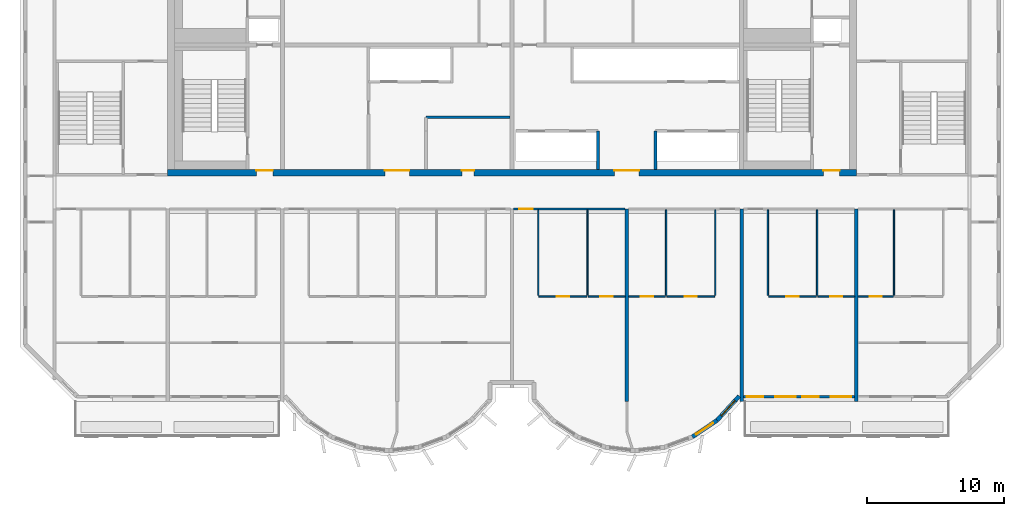
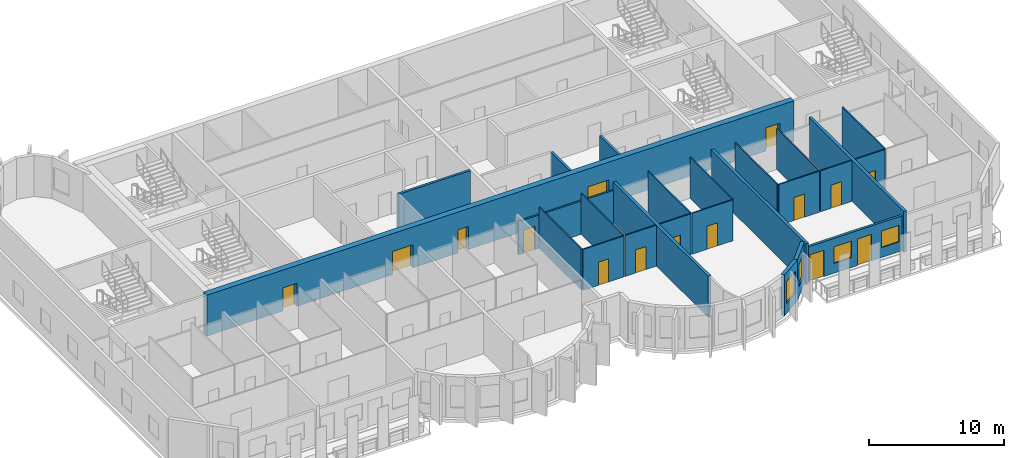
# One storey, part 5 of 12: 25 walls, 15 doors, 4 windows, 19 openings.
"""IFC4 building model written with IfcOpenShell, lengths in metres."""

from ifc_helpers import new_model, si_unit, direction, frame, frame_2d, origin, place, context, subcontext, project, spatial, rectangle, extrude, source, transform, mapped, material, layer, layer_set, type_object, element, fill, save


model = new_model("IFC4")

# Units and contexts
model_context = context("Model", 3, precision=1e-05, world=origin(), true_north=direction((0.0, 1.0)))
body_context = subcontext(model_context, "Body", "Model", "MODEL_VIEW")
ifc_project = project(units=[si_unit("LENGTHUNIT", "METRE"), si_unit("AREAUNIT", "SQUARE_METRE"), si_unit("VOLUMEUNIT", "CUBIC_METRE"), si_unit("PLANEANGLEUNIT", "RADIAN"), si_unit("MASSUNIT", "GRAM", prefix="KILO")], contexts=[model_context])

# Site, building, storey
site_placement = place(None, origin())
site = spatial("IfcSite", under=ifc_project, at=site_placement, CompositionType="ELEMENT")
building_placement = place(site_placement, origin())
building = spatial("IfcBuilding", under=site, at=building_placement, Name="Vanashikhar Sky Hotel", CompositionType="ELEMENT")
storey_placement = place(building_placement, frame((0.0, 0.0, 281.699951171875)))
storey = spatial("IfcBuildingStorey", under=building, at=storey_placement, Name="L67", CompositionType="ELEMENT", Elevation=281.699951171875)

# Wall, openings, doors
ifc_material_1 = material(Name="Concrete M50", Category="concrete")
ifc_layer_1 = layer(ifc_material_1, 0.5)
ifc_layer_set_1 = layer_set([ifc_layer_1], Name="RC core shell wall 500 Concrete M50")
wall_type_1 = type_object("IfcWallType", Name="RC core shell wall 500 Concrete M50", PredefinedType="SHEAR", material=ifc_layer_set_1)
shared_shape_1 = source(origin(), body_context, "Body", "SweptSolid", [
    extrude(rectangle(XDim=50.400146484375, YDim=0.5, at=frame_2d((25.2001953125, 0.0))), origin(), (0.0, 0.0, 1.0), 3.719970703125),
])
wall_1_placement = place(storey_placement, frame((25.199951171875, 22.25, 0.0), z_axis=(0.0, 0.0, 1.0), x_axis=(1.0, 0.0, 0.0)))
wall_1 = element("IfcWall", 1, at=wall_1_placement, inside=storey, type_object=wall_type_1, Name="KW-L67-KS", PredefinedType="SHEAR", context=body_context, shape_type="MappedRepresentation", body=[
    mapped(shared_shape_1, transform((0.0, 0.0, 0.0), scale=1.0)),
])
shared_shape_2 = source(origin(), body_context, "Body", "SweptSolid", [
    extrude(rectangle(XDim=1.800048828125, YDim=2.10009765625, at=frame_2d((0.89990234375, 1.050048828125))), frame((0.0, 0.260009765625, 0.0), z_axis=(0.0, -1.0, 0.0), x_axis=(1.0, 0.0, 0.0)), (0.0, 0.0, 1.0), 0.52001953125),
])
opening_1_placement = place(wall_1_placement, frame((15.89990234375, 0.0, 0.0)))
opening_1 = element("IfcOpeningElement", 2, at=opening_1_placement, cuts=wall_1, Name="Opening DC-3-A", PredefinedType="OPENING", context=body_context, shape_type="MappedRepresentation", body=[
    mapped(shared_shape_2, transform((0.0, 0.0, 0.0), scale=1.0)),
])
shared_shape_3 = source(origin(), body_context, "Body", "SweptSolid", [
    extrude(rectangle(XDim=0.89990234375, YDim=2.10009765625, at=frame_2d((0.449951171875, 1.050048828125))), frame((0.0, 0.260009765625, 0.0), z_axis=(0.0, -1.0, 0.0), x_axis=(1.0, 0.0, 0.0)), (0.0, 0.0, 1.0), 0.52001953125),
])
opening_2_placement = place(wall_1_placement, frame((21.52490234375, 0.0, 0.0)))
opening_2 = element("IfcOpeningElement", 3, at=opening_2_placement, cuts=wall_1, Name="Opening DC-4-A", PredefinedType="OPENING", context=body_context, shape_type="MappedRepresentation", body=[
    mapped(shared_shape_3, transform((0.0, 0.0, 0.0), scale=1.0)),
])
opening_3_placement = place(wall_1_placement, frame((32.699951171875, 0.0, 0.0)))
opening_3 = element("IfcOpeningElement", 4, at=opening_3_placement, cuts=wall_1, Name="Opening DC-3-A", PredefinedType="OPENING", context=body_context, shape_type="MappedRepresentation", body=[
    mapped(shared_shape_2, transform((0.0, 0.0, 0.0), scale=1.0)),
])
shared_shape_4 = source(origin(), body_context, "Body", "SweptSolid", [
    extrude(rectangle(XDim=1.199951171875, YDim=2.10009765625, at=frame_2d((0.60009765625, 1.050048828125))), frame((0.0, 0.260009765625, 0.0), z_axis=(0.0, -1.0, 0.0), x_axis=(1.0, 0.0, 0.0)), (0.0, 0.0, 1.0), 0.52001953125),
])
opening_4_placement = place(wall_1_placement, frame((6.5, 0.0, 0.0)))
opening_4 = element("IfcOpeningElement", 5, at=opening_4_placement, cuts=wall_1, Name="Opening DC-2", PredefinedType="OPENING", context=body_context, shape_type="MappedRepresentation", body=[
    mapped(shared_shape_4, transform((0.0, 0.0, 0.0), scale=1.0)),
])
opening_5_placement = place(wall_1_placement, frame((47.97509765625, 0.0, 0.0)))
opening_5 = element("IfcOpeningElement", 6, at=opening_5_placement, cuts=wall_1, Name="Opening DC-2", PredefinedType="OPENING", context=body_context, shape_type="MappedRepresentation", body=[
    mapped(shared_shape_4, transform((0.0, 0.0, 0.0), scale=1.0)),
])
ifc_material_2 = material(Name="Steel", Category="steel")
door_type_1 = type_object("IfcDoorType", Name="Firefighting lobby door 1200 FD120", OperationType="NOTDEFINED", PredefinedType="DOOR", material=ifc_material_2)
shared_shape_5 = source(origin(), body_context, "Body", "SweptSolid", [
    extrude(rectangle(XDim=1.199951171875, YDim=2.10009765625, at=frame_2d((0.60009765625, 1.050048828125))), frame((0.0, 0.1748046875, 0.0), z_axis=(0.0, -1.0, 0.0), x_axis=(1.0, 0.0, 0.0)), (0.0, 0.0, 1.0), 0.050048828125),
])
door_1_placement = place(opening_4_placement, origin())
door_1 = element("IfcDoor", 7, at=door_1_placement, inside=storey, type_object=door_type_1, Name="Firefighting lobby door 1200 FD120", OperationType="SINGLE_SWING_RIGHT", OverallHeight=2.10009765625, OverallWidth=1.199951171875, PredefinedType="DOOR", context=body_context, shape_type="MappedRepresentation", body=[
    mapped(shared_shape_5, transform((0.0, 0.0, 0.0), scale=1.0)),
])
fill(opening_4, door_1)
door_2_placement = place(opening_5_placement, origin())
door_2 = element("IfcDoor", 8, at=door_2_placement, inside=storey, type_object=door_type_1, Name="Firefighting lobby door 1200 FD120", OperationType="SINGLE_SWING_LEFT", OverallHeight=2.10009765625, OverallWidth=1.199951171875, PredefinedType="DOOR", context=body_context, shape_type="MappedRepresentation", body=[
    mapped(shared_shape_5, transform((0.0, 0.0, 0.0), scale=1.0)),
])
fill(opening_5, door_2)
door_type_2 = type_object("IfcDoorType", Name="Service door 900 FD60", OperationType="NOTDEFINED", PredefinedType="DOOR", material=ifc_material_2)
shared_shape_6 = source(origin(), body_context, "Body", "SweptSolid", [
    extrude(rectangle(XDim=0.89990234375, YDim=2.10009765625, at=frame_2d((0.449951171875, 1.050048828125))), frame((0.0, 0.1748046875, 0.0), z_axis=(0.0, -1.0, 0.0), x_axis=(1.0, 0.0, 0.0)), (0.0, 0.0, 1.0), 0.050048828125),
])
door_3_placement = place(opening_2_placement, origin())
door_3 = element("IfcDoor", 9, at=door_3_placement, inside=storey, type_object=door_type_2, Name="Service door 900 FD60", OperationType="SINGLE_SWING_RIGHT", OverallHeight=2.10009765625, OverallWidth=0.89990234375, PredefinedType="DOOR", context=body_context, shape_type="MappedRepresentation", body=[
    mapped(shared_shape_6, transform((0.0, 0.0, 0.0), scale=1.0)),
])
fill(opening_2, door_3)
ifc_material_3 = material(Name="Glass", Category="glass")
door_type_3 = type_object("IfcDoorType", Name="Lift lobby entrance door 1800 FD30S", OperationType="NOTDEFINED", PredefinedType="DOOR", material=ifc_material_3)
shared_shape_7 = source(origin(), body_context, "Body", "SweptSolid", [
    extrude(rectangle(XDim=1.800048828125, YDim=2.10009765625, at=frame_2d((0.89990234375, 1.050048828125))), frame((0.0, 0.1748046875, 0.0), z_axis=(0.0, -1.0, 0.0), x_axis=(1.0, 0.0, 0.0)), (0.0, 0.0, 1.0), 0.050048828125),
])
door_4_placement = place(opening_1_placement, origin())
door_4 = element("IfcDoor", 10, at=door_4_placement, inside=storey, type_object=door_type_3, Name="Lift lobby entrance door 1800 FD30S", OperationType="DOUBLE_DOOR_SINGLE_SWING", OverallHeight=2.10009765625, OverallWidth=1.800048828125, PredefinedType="DOOR", context=body_context, shape_type="MappedRepresentation", body=[
    mapped(shared_shape_7, transform((0.0, 0.0, 0.0), scale=1.0)),
])
fill(opening_1, door_4)
door_5_placement = place(opening_3_placement, origin())
door_5 = element("IfcDoor", 11, at=door_5_placement, inside=storey, type_object=door_type_3, Name="Lift lobby entrance door 1800 FD30S", OperationType="DOUBLE_DOOR_SINGLE_SWING", OverallHeight=2.10009765625, OverallWidth=1.800048828125, PredefinedType="DOOR", context=body_context, shape_type="MappedRepresentation", body=[
    mapped(shared_shape_7, transform((0.0, 0.0, 0.0), scale=1.0)),
])
fill(opening_3, door_5)

# Walls
ifc_layer_2 = layer(ifc_material_1, 0.25)
ifc_layer_set_2 = layer_set([ifc_layer_2], Name="RC shear wall 250 Concrete M50")
wall_type_2 = type_object("IfcWallType", Name="RC shear wall 250 Concrete M50", PredefinedType="SHEAR", material=ifc_layer_set_2)
shared_shape_8 = source(origin(), body_context, "Body", "SweptSolid", [
    extrude(rectangle(XDim=14.10009765625, YDim=0.25, at=frame_2d((7.050048828125, 0.0))), origin(), (0.0, 0.0, 1.0), 3.719970703125),
])
for number, where, z_axis, x_axis, name in (
    (12, (58.800048828125, 5.5, 0.0), (0.0, 0.0, 1.0), (0.0, 1.0, 0.0), "CW-L67-XW08-1"),
    (13, (67.199951171875, 5.5, 0.0), (0.0, 0.0, 1.0), (0.0, 1.0, 0.0), "CW-L67-XW09-1"),
    (14, (75.60009765625, 5.5, 0.0), (0.0, 0.0, 1.0), (0.0, 1.0, 0.0), "CW-L67-XW10-1"),
):
    element("IfcWall", number, at=place(storey_placement, frame(where, z_axis=z_axis, x_axis=x_axis)), inside=storey, type_object=wall_type_2, Name=name, PredefinedType="SHEAR", context=body_context, shape_type="MappedRepresentation", body=[
        mapped(shared_shape_8, transform((0.0, 0.0, 0.0), scale=1.0)),
    ])

# Wall, openings, windows, doors
ifc_layer_3 = layer(ifc_material_1, 0.199951171875)
ifc_layer_set_3 = layer_set([ifc_layer_3], Name="Front window wall 200")
wall_type_3 = type_object("IfcWallType", Name="Front window wall 200", PredefinedType="SOLIDWALL", material=ifc_layer_set_3)
shared_shape_9 = source(origin(), body_context, "Body", "SweptSolid", [
    extrude(rectangle(XDim=8.150146484375, YDim=0.199951171875, at=frame_2d((4.0751953125, 0.0))), origin(), (0.0, 0.0, 1.0), 3.170166015625),
])
wall_2_placement = place(storey_placement, frame((67.324951171875, 5.85009765625, 0.0), z_axis=(0.0, 0.0, 1.0), x_axis=(1.0, 0.0, 0.0)))
wall_2 = element("IfcWall", 15, at=wall_2_placement, inside=storey, type_object=wall_type_3, Name="Front window wall", PredefinedType="SOLIDWALL", context=body_context, shape_type="MappedRepresentation", body=[
    mapped(shared_shape_9, transform((0.0, 0.0, 0.0), scale=1.0)),
])
shared_shape_10 = source(origin(), body_context, "Body", "SweptSolid", [
    extrude(rectangle(XDim=1.199951171875, YDim=2.39990234375, at=frame_2d((0.60009765625, 1.199951171875))), frame((0.0, 0.10986328125, 0.0), z_axis=(0.0, -1.0, 0.0), x_axis=(1.0, 0.0, 0.0)), (0.0, 0.0, 1.0), 0.219970703125),
])
opening_6_placement = place(wall_2_placement, frame((0.25, 0.0, 0.0)))
opening_6 = element("IfcOpeningElement", 16, at=opening_6_placement, cuts=wall_2, Name="Opening BD-03", PredefinedType="OPENING", context=body_context, shape_type="MappedRepresentation", body=[
    mapped(shared_shape_10, transform((0.0, 0.0, 0.0), scale=1.0)),
])
shared_shape_11 = source(origin(), body_context, "Body", "SweptSolid", [
    extrude(rectangle(XDim=1.5, YDim=1.5, at=frame_2d((0.75, 0.75))), frame((0.0, 0.10986328125, 0.0), z_axis=(0.0, -1.0, 0.0), x_axis=(1.0, 0.0, 0.0)), (0.0, 0.0, 1.0), 0.219970703125),
])
opening_7_placement = place(wall_2_placement, frame((2.324951171875, 0.0, 0.89990234375)))
opening_7 = element("IfcOpeningElement", 17, at=opening_7_placement, cuts=wall_2, Name="Opening WN-1", PredefinedType="OPENING", context=body_context, shape_type="MappedRepresentation", body=[
    mapped(shared_shape_11, transform((0.0, 0.0, 0.0), scale=1.0)),
])
opening_8_placement = place(wall_2_placement, frame((4.324951171875, 0.0, 0.0)))
opening_8 = element("IfcOpeningElement", 18, at=opening_8_placement, cuts=wall_2, Name="Opening BD-04", PredefinedType="OPENING", context=body_context, shape_type="MappedRepresentation", body=[
    mapped(shared_shape_10, transform((0.0, 0.0, 0.0), scale=1.0)),
])
opening_9_placement = place(wall_2_placement, frame((6.39990234375, 0.0, 0.89990234375)))
opening_9 = element("IfcOpeningElement", 19, at=opening_9_placement, cuts=wall_2, Name="Opening WN-1", PredefinedType="OPENING", context=body_context, shape_type="MappedRepresentation", body=[
    mapped(shared_shape_11, transform((0.0, 0.0, 0.0), scale=1.0)),
])
window_type_1 = type_object("IfcWindowType", Name="Window 1500 x 1500", PartitioningType="SINGLE_PANEL", PredefinedType="WINDOW", material=ifc_material_3)
shared_shape_12 = source(origin(), body_context, "Body", "SweptSolid", [
    extrude(rectangle(XDim=1.5, YDim=1.5, at=frame_2d((0.75, 0.75))), frame((0.0, 0.030029296875, 0.0), z_axis=(0.0, -1.0, 0.0), x_axis=(1.0, 0.0, 0.0)), (0.0, 0.0, 1.0), 0.06005859375),
])
window_1_placement = place(opening_7_placement, origin())
window_1 = element("IfcWindow", 20, at=window_1_placement, inside=storey, type_object=window_type_1, Name="Window WN-1", OverallHeight=1.5, OverallWidth=1.5, PartitioningType="SINGLE_PANEL", PredefinedType="WINDOW", context=body_context, shape_type="MappedRepresentation", body=[
    mapped(shared_shape_12, transform((0.0, 0.0, 0.0), scale=1.0)),
])
fill(opening_7, window_1)
window_2_placement = place(opening_9_placement, origin())
window_2 = element("IfcWindow", 21, at=window_2_placement, inside=storey, type_object=window_type_1, Name="Window WN-1", OverallHeight=1.5, OverallWidth=1.5, PartitioningType="SINGLE_PANEL", PredefinedType="WINDOW", context=body_context, shape_type="MappedRepresentation", body=[
    mapped(shared_shape_12, transform((0.0, 0.0, 0.0), scale=1.0)),
])
fill(opening_9, window_2)
ifc_material_4 = material(Name="Aluminium", Category="aluminium")
door_type_4 = type_object("IfcDoorType", Name="Balcony sliding door 1200 x 2400", OperationType="NOTDEFINED", PredefinedType="DOOR", material=ifc_material_4)
shared_shape_13 = source(origin(), body_context, "Body", "SweptSolid", [
    extrude(rectangle(XDim=1.199951171875, YDim=2.39990234375, at=frame_2d((0.60009765625, 1.199951171875))), frame((0.0, 0.02490234375, 0.0), z_axis=(0.0, -1.0, 0.0), x_axis=(1.0, 0.0, 0.0)), (0.0, 0.0, 1.0), 0.050048828125),
])
door_6_placement = place(opening_6_placement, origin())
door_6 = element("IfcDoor", 22, at=door_6_placement, inside=storey, type_object=door_type_4, Name="Balcony sliding door", OperationType="SLIDING_TO_LEFT", OverallHeight=2.39990234375, OverallWidth=1.199951171875, PredefinedType="DOOR", context=body_context, shape_type="MappedRepresentation", body=[
    mapped(shared_shape_13, transform((0.0, 0.0, 0.0), scale=1.0)),
])
fill(opening_6, door_6)
door_7_placement = place(opening_8_placement, origin())
door_7 = element("IfcDoor", 23, at=door_7_placement, inside=storey, type_object=door_type_4, Name="Balcony sliding door", OperationType="SLIDING_TO_RIGHT", OverallHeight=2.39990234375, OverallWidth=1.199951171875, PredefinedType="DOOR", context=body_context, shape_type="MappedRepresentation", body=[
    mapped(shared_shape_13, transform((0.0, 0.0, 0.0), scale=1.0)),
])
fill(opening_8, door_7)

# Wall, opening, window
ifc_layer_4 = layer(ifc_material_1, 0.300048828125)
ifc_layer_set_4 = layer_set([ifc_layer_4], Name="Lobe wall 300")
wall_type_4 = type_object("IfcWallType", Name="Lobe wall 300", PredefinedType="SOLIDWALL", material=ifc_layer_set_4)
shared_shape_14 = source(origin(), body_context, "Body", "SweptSolid", [
    extrude(rectangle(XDim=2.398193359375, YDim=0.300048828125, at=frame_2d((1.19921875, 0.0))), origin(), (0.0, 0.0, 1.0), 3.719970703125),
])
wall_3_placement = place(storey_placement, frame((65.404296875, 4.13134765625, 0.0), z_axis=(0.0, 0.0, 1.0), x_axis=(0.675374189419, 0.737475222815, 0.0)))
wall_3 = element("IfcWall", 24, at=wall_3_placement, inside=storey, type_object=wall_type_4, Name="Lobe wall", PredefinedType="SOLIDWALL", context=body_context, shape_type="MappedRepresentation", body=[
    mapped(shared_shape_14, transform((0.0, 0.0, 0.0), scale=1.0)),
])
shared_shape_15 = source(origin(), body_context, "Body", "SweptSolid", [
    extrude(rectangle(XDim=1.5, YDim=2.0, at=frame_2d((0.75, 1.0))), frame((0.0, 0.16015625, 0.0), z_axis=(0.0, -1.0, 0.0), x_axis=(1.0, 0.0, 0.0)), (0.0, 0.0, 1.0), 0.320068359375),
])
opening_10_placement = place(wall_3_placement, frame((0.44921875, 0.0, 0.89990234375)))
opening_10 = element("IfcOpeningElement", 25, at=opening_10_placement, cuts=wall_3, Name="Opening WN-2", PredefinedType="OPENING", context=body_context, shape_type="MappedRepresentation", body=[
    mapped(shared_shape_15, transform((0.0, 0.0, 0.0), scale=1.0)),
])
window_type_2 = type_object("IfcWindowType", Name="Lobe window 1500 x 2000", PartitioningType="SINGLE_PANEL", PredefinedType="WINDOW", material=ifc_material_3)
shared_shape_16 = source(origin(), body_context, "Body", "SweptSolid", [
    extrude(rectangle(XDim=1.5, YDim=2.0, at=frame_2d((0.75, 1.0))), frame((0.0, 0.030029296875, 0.0), z_axis=(0.0, -1.0, 0.0), x_axis=(1.0, 0.0, 0.0)), (0.0, 0.0, 1.0), 0.06005859375),
])
window_3_placement = place(opening_10_placement, origin())
window_3 = element("IfcWindow", 26, at=window_3_placement, inside=storey, type_object=window_type_2, Name="Window WN-2", OverallHeight=2.0, OverallWidth=1.5, PartitioningType="SINGLE_PANEL", PredefinedType="WINDOW", context=body_context, shape_type="MappedRepresentation", body=[
    mapped(shared_shape_16, transform((0.0, 0.0, 0.0), scale=1.0)),
])
fill(opening_10, window_3)

shared_shape_17 = source(origin(), body_context, "Body", "SweptSolid", [
    extrude(rectangle(XDim=2.17578125, YDim=0.300048828125, at=frame_2d((1.087890625, 0.0))), origin(), (0.0, 0.0, 1.0), 3.719970703125),
])
wall_4_placement = place(storey_placement, frame((63.59912109375, 2.91650390625, 0.0), z_axis=(0.0, 0.0, 1.0), x_axis=(0.829625727223, 0.558319937607, 0.0)))
wall_4 = element("IfcWall", 27, at=wall_4_placement, inside=storey, type_object=wall_type_4, Name="Lobe wall", PredefinedType="SOLIDWALL", context=body_context, shape_type="MappedRepresentation", body=[
    mapped(shared_shape_17, transform((0.0, 0.0, 0.0), scale=1.0)),
])
opening_11_placement = place(wall_4_placement, frame((0.337890625, 0.0, 0.89990234375)))
opening_11 = element("IfcOpeningElement", 28, at=opening_11_placement, cuts=wall_4, Name="Opening WN-2", PredefinedType="OPENING", context=body_context, shape_type="MappedRepresentation", body=[
    mapped(shared_shape_15, transform((0.0, 0.0, 0.0), scale=1.0)),
])
window_4_placement = place(opening_11_placement, origin())
window_4 = element("IfcWindow", 29, at=window_4_placement, inside=storey, type_object=window_type_2, Name="Window WN-2", OverallHeight=2.0, OverallWidth=1.5, PartitioningType="SINGLE_PANEL", PredefinedType="WINDOW", context=body_context, shape_type="MappedRepresentation", body=[
    mapped(shared_shape_16, transform((0.0, 0.0, 0.0), scale=1.0)),
])
fill(opening_11, window_4)

# Walls
ifc_material_5 = material(Name="Concrete M40", Category="concrete")
ifc_layer_5 = layer(ifc_material_5, 0.199951171875)
ifc_layer_set_5 = layer_set([ifc_layer_5], Name="Shaft wall 200")
wall_type_5 = type_object("IfcWallType", Name="Shaft wall 200", PredefinedType="SOLIDWALL", material=ifc_layer_set_5)
shared_shape_18 = source(origin(), body_context, "Body", "SweptSolid", [
    extrude(rectangle(XDim=2.800048828125, YDim=0.199951171875, at=frame_2d((1.39990234375, 0.0))), origin(), (0.0, 0.0, 1.0), 3.719970703125),
])
for number, where, z_axis, x_axis, name in (
    (30, (60.89990234375, 22.5, 0.0), (0.0, 0.0, 1.0), (0.0, 1.0, 0.0), "Shaft wall 200"),
    (31, (56.699951171875, 22.5, 0.0), (0.0, 0.0, 1.0), (0.0, 1.0, 0.0), "Shaft wall 200"),
):
    element("IfcWall", number, at=place(storey_placement, frame(where, z_axis=z_axis, x_axis=x_axis)), inside=storey, type_object=wall_type_5, Name=name, PredefinedType="SOLIDWALL", context=body_context, shape_type="MappedRepresentation", body=[
        mapped(shared_shape_18, transform((0.0, 0.0, 0.0), scale=1.0)),
    ])
ifc_material_6 = material(Name="Gypsum board partition")
ifc_layer_6 = layer(ifc_material_6, 0.14990234375)
ifc_layer_set_6 = layer_set([ifc_layer_6], Name="Service partition 150")
wall_type_6 = type_object("IfcWallType", Name="Service partition 150", PredefinedType="PARTITIONING", material=ifc_layer_set_6)
shared_shape_19 = source(origin(), body_context, "Body", "SweptSolid", [
    extrude(rectangle(XDim=6.14990234375, YDim=0.199951171875, at=frame_2d((3.074951171875, 0.0))), origin(), (0.0, 0.0, 1.0), 3.719970703125),
])
wall_5_placement = place(storey_placement, frame((44.10009765625, 26.300048828125, 0.0), z_axis=(0.0, 0.0, 1.0), x_axis=(1.0, 0.0, 0.0)))
element("IfcWall", 32, at=wall_5_placement, inside=storey, type_object=wall_type_6, Name="Service partition 150", PredefinedType="PARTITIONING", context=body_context, shape_type="MappedRepresentation", body=[
    mapped(shared_shape_19, transform((0.0, 0.0, 0.0), scale=1.0)),
])
ifc_material_7 = material(Name="Gypsum plasterboard partition")
ifc_layer_7 = layer(ifc_material_7, 0.10009765625)
ifc_layer_set_7 = layer_set([ifc_layer_7], Name="Wet room partition 100")
wall_type_7 = type_object("IfcWallType", Name="Wet room partition 100", PredefinedType="PARTITIONING", material=ifc_layer_set_7)
shared_shape_20 = source(origin(), body_context, "Body", "SweptSolid", [
    extrude(rectangle(XDim=6.25, YDim=0.10009765625, at=frame_2d((3.125, 0.0))), origin(), (0.0, 0.0, 1.0), 3.719970703125),
])
for number, where, z_axis, x_axis, name in (
    (33, (52.324951171875, 13.27490234375, 0.0), (0.0, 0.0, 1.0), (0.0, 1.0, 0.0), "W-L67-PW025"),
    (34, (55.925048828125, 13.27490234375, 0.0), (0.0, 0.0, 1.0), (0.0, 1.0, 0.0), "W-L67-PW026"),
    (35, (65.27490234375, 13.27490234375, 0.0), (0.0, 0.0, 1.0), (0.0, 1.0, 0.0), "W-L67-PW030"),
    (36, (61.675048828125, 13.27490234375, 0.0), (0.0, 0.0, 1.0), (0.0, 1.0, 0.0), "W-L67-PW031"),
    (37, (69.125, 13.27490234375, 0.0), (0.0, 0.0, 1.0), (0.0, 1.0, 0.0), "W-L67-PW035"),
    (38, (72.72509765625, 13.27490234375, 0.0), (0.0, 0.0, 1.0), (0.0, 1.0, 0.0), "W-L67-PW036"),
    (39, (78.35009765625, 13.27490234375, 0.0), (0.0, 0.0, 1.0), (0.0, 1.0, 0.0), "W-L67-PW041"),
):
    element("IfcWall", number, at=place(storey_placement, frame(where, z_axis=z_axis, x_axis=x_axis)), inside=storey, type_object=wall_type_7, Name=name, PredefinedType="PARTITIONING", context=body_context, shape_type="MappedRepresentation", body=[
        mapped(shared_shape_20, transform((0.0, 0.0, 0.0), scale=1.0)),
    ])

# Wall, opening, door
shared_shape_21 = source(origin(), body_context, "Body", "SweptSolid", [
    extrude(rectangle(XDim=3.5, YDim=0.10009765625, at=frame_2d((1.75, 0.0))), origin(), (0.0, 0.0, 1.0), 3.719970703125),
])
wall_6_placement = place(storey_placement, frame((52.375, 13.199951171875, 0.0), z_axis=(0.0, 0.0, 1.0), x_axis=(1.0, 0.0, 0.0)))
wall_6 = element("IfcWall", 40, at=wall_6_placement, inside=storey, type_object=wall_type_7, Name="W-L67-PW027", PredefinedType="PARTITIONING", context=body_context, shape_type="MappedRepresentation", body=[
    mapped(shared_shape_21, transform((0.0, 0.0, 0.0), scale=1.0)),
])
shared_shape_22 = source(origin(), body_context, "Body", "SweptSolid", [
    extrude(rectangle(XDim=0.89990234375, YDim=2.10009765625, at=frame_2d((0.449951171875, 1.050048828125))), frame((0.0, 0.06005859375, 0.0), z_axis=(0.0, -1.0, 0.0), x_axis=(1.0, 0.0, 0.0)), (0.0, 0.0, 1.0), 0.1201171875),
])
opening_12_placement = place(wall_6_placement, frame((1.300048828125, 0.0, 0.0)))
opening_12 = element("IfcOpeningElement", 41, at=opening_12_placement, cuts=wall_6, Name="Opening D-02", PredefinedType="OPENING", context=body_context, shape_type="MappedRepresentation", body=[
    mapped(shared_shape_22, transform((0.0, 0.0, 0.0), scale=1.0)),
])
ifc_material_8 = material(Name="Timber door", Category="wood")
door_type_5 = type_object("IfcDoorType", Name="Internal door 900", OperationType="NOTDEFINED", PredefinedType="DOOR", material=ifc_material_8)
shared_shape_23 = source(origin(), body_context, "Body", "SweptSolid", [
    extrude(rectangle(XDim=0.89990234375, YDim=2.10009765625, at=frame_2d((0.449951171875, 1.050048828125))), frame((0.0, 0.02490234375, 0.0), z_axis=(0.0, -1.0, 0.0), x_axis=(1.0, 0.0, 0.0)), (0.0, 0.0, 1.0), 0.050048828125),
])
door_8_placement = place(opening_12_placement, origin())
door_8 = element("IfcDoor", 42, at=door_8_placement, inside=storey, type_object=door_type_5, Name="D-L67-017", OperationType="SINGLE_SWING_LEFT", OverallHeight=2.10009765625, OverallWidth=0.89990234375, PredefinedType="DOOR", context=body_context, shape_type="MappedRepresentation", body=[
    mapped(shared_shape_23, transform((0.0, 0.0, 0.0), scale=1.0)),
])
fill(opening_12, door_8)

wall_7_placement = place(storey_placement, frame((61.72509765625, 13.199951171875, 0.0), z_axis=(0.0, 0.0, 1.0), x_axis=(1.0, 0.0, 0.0)))
wall_7 = element("IfcWall", 43, at=wall_7_placement, inside=storey, type_object=wall_type_7, Name="W-L67-PW032", PredefinedType="PARTITIONING", context=body_context, shape_type="MappedRepresentation", body=[
    mapped(shared_shape_21, transform((0.0, 0.0, 0.0), scale=1.0)),
])
opening_13_placement = place(wall_7_placement, frame((1.300048828125, 0.0, 0.0)))
opening_13 = element("IfcOpeningElement", 44, at=opening_13_placement, cuts=wall_7, Name="Opening D-02", PredefinedType="OPENING", context=body_context, shape_type="MappedRepresentation", body=[
    mapped(shared_shape_22, transform((0.0, 0.0, 0.0), scale=1.0)),
])
door_9_placement = place(opening_13_placement, origin())
door_9 = element("IfcDoor", 45, at=door_9_placement, inside=storey, type_object=door_type_5, Name="D-L67-020", OperationType="SINGLE_SWING_RIGHT", OverallHeight=2.10009765625, OverallWidth=0.89990234375, PredefinedType="DOOR", context=body_context, shape_type="MappedRepresentation", body=[
    mapped(shared_shape_23, transform((0.0, 0.0, 0.0), scale=1.0)),
])
fill(opening_13, door_9)

wall_8_placement = place(storey_placement, frame((69.175048828125, 13.199951171875, 0.0), z_axis=(0.0, 0.0, 1.0), x_axis=(1.0, 0.0, 0.0)))
wall_8 = element("IfcWall", 46, at=wall_8_placement, inside=storey, type_object=wall_type_7, Name="W-L67-PW037", PredefinedType="PARTITIONING", context=body_context, shape_type="MappedRepresentation", body=[
    mapped(shared_shape_21, transform((0.0, 0.0, 0.0), scale=1.0)),
])
opening_14_placement = place(wall_8_placement, frame((1.300048828125, 0.0, 0.0)))
opening_14 = element("IfcOpeningElement", 47, at=opening_14_placement, cuts=wall_8, Name="Opening D-02", PredefinedType="OPENING", context=body_context, shape_type="MappedRepresentation", body=[
    mapped(shared_shape_22, transform((0.0, 0.0, 0.0), scale=1.0)),
])
door_10_placement = place(opening_14_placement, origin())
door_10 = element("IfcDoor", 48, at=door_10_placement, inside=storey, type_object=door_type_5, Name="D-L67-023", OperationType="SINGLE_SWING_LEFT", OverallHeight=2.10009765625, OverallWidth=0.89990234375, PredefinedType="DOOR", context=body_context, shape_type="MappedRepresentation", body=[
    mapped(shared_shape_23, transform((0.0, 0.0, 0.0), scale=1.0)),
])
fill(opening_14, door_10)

shared_shape_24 = source(origin(), body_context, "Body", "SweptSolid", [
    extrude(rectangle(XDim=2.574951171875, YDim=0.10009765625, at=frame_2d((1.28759765625, 0.0))), origin(), (0.0, 0.0, 1.0), 3.719970703125),
])
wall_9_placement = place(storey_placement, frame((75.72509765625, 13.199951171875, 0.0), z_axis=(0.0, 0.0, 1.0), x_axis=(1.0, 0.0, 0.0)))
wall_9 = element("IfcWall", 49, at=wall_9_placement, inside=storey, type_object=wall_type_7, Name="W-L67-PW043", PredefinedType="PARTITIONING", context=body_context, shape_type="MappedRepresentation", body=[
    mapped(shared_shape_24, transform((0.0, 0.0, 0.0), scale=1.0)),
])
opening_15_placement = place(wall_9_placement, frame((0.837890625, 0.0, 0.0)))
opening_15 = element("IfcOpeningElement", 50, at=opening_15_placement, cuts=wall_9, Name="Opening D-02", PredefinedType="OPENING", context=body_context, shape_type="MappedRepresentation", body=[
    mapped(shared_shape_22, transform((0.0, 0.0, 0.0), scale=1.0)),
])
door_11_placement = place(opening_15_placement, origin())
door_11 = element("IfcDoor", 51, at=door_11_placement, inside=storey, type_object=door_type_5, Name="D-L67-027", OperationType="SINGLE_SWING_RIGHT", OverallHeight=2.10009765625, OverallWidth=0.89990234375, PredefinedType="DOOR", context=body_context, shape_type="MappedRepresentation", body=[
    mapped(shared_shape_23, transform((0.0, 0.0, 0.0), scale=1.0)),
])
fill(opening_15, door_11)

shared_shape_25 = source(origin(), body_context, "Body", "SweptSolid", [
    extrude(rectangle(XDim=2.699951171875, YDim=0.10009765625, at=frame_2d((1.35009765625, 0.0))), origin(), (0.0, 0.0, 1.0), 3.719970703125),
])
wall_10_placement = place(storey_placement, frame((55.97509765625, 13.199951171875, 0.0), z_axis=(0.0, 0.0, 1.0), x_axis=(1.0, 0.0, 0.0)))
wall_10 = element("IfcWall", 52, at=wall_10_placement, inside=storey, type_object=wall_type_7, Name="W-L67-PW028", PredefinedType="PARTITIONING", context=body_context, shape_type="MappedRepresentation", body=[
    mapped(shared_shape_25, transform((0.0, 0.0, 0.0), scale=1.0)),
])
opening_16_placement = place(wall_10_placement, frame((0.89990234375, 0.0, 0.0)))
opening_16 = element("IfcOpeningElement", 53, at=opening_16_placement, cuts=wall_10, Name="Opening D-02", PredefinedType="OPENING", context=body_context, shape_type="MappedRepresentation", body=[
    mapped(shared_shape_22, transform((0.0, 0.0, 0.0), scale=1.0)),
])
door_12_placement = place(opening_16_placement, origin())
door_12 = element("IfcDoor", 54, at=door_12_placement, inside=storey, type_object=door_type_5, Name="D-L67-018", OperationType="SINGLE_SWING_LEFT", OverallHeight=2.10009765625, OverallWidth=0.89990234375, PredefinedType="DOOR", context=body_context, shape_type="MappedRepresentation", body=[
    mapped(shared_shape_23, transform((0.0, 0.0, 0.0), scale=1.0)),
])
fill(opening_16, door_12)

wall_11_placement = place(storey_placement, frame((58.925048828125, 13.199951171875, 0.0), z_axis=(0.0, 0.0, 1.0), x_axis=(1.0, 0.0, 0.0)))
wall_11 = element("IfcWall", 55, at=wall_11_placement, inside=storey, type_object=wall_type_7, Name="W-L67-PW033", PredefinedType="PARTITIONING", context=body_context, shape_type="MappedRepresentation", body=[
    mapped(shared_shape_25, transform((0.0, 0.0, 0.0), scale=1.0)),
])
opening_17_placement = place(wall_11_placement, frame((0.89990234375, 0.0, 0.0)))
opening_17 = element("IfcOpeningElement", 56, at=opening_17_placement, cuts=wall_11, Name="Opening D-02", PredefinedType="OPENING", context=body_context, shape_type="MappedRepresentation", body=[
    mapped(shared_shape_22, transform((0.0, 0.0, 0.0), scale=1.0)),
])
door_13_placement = place(opening_17_placement, origin())
door_13 = element("IfcDoor", 57, at=door_13_placement, inside=storey, type_object=door_type_5, Name="D-L67-021", OperationType="SINGLE_SWING_RIGHT", OverallHeight=2.10009765625, OverallWidth=0.89990234375, PredefinedType="DOOR", context=body_context, shape_type="MappedRepresentation", body=[
    mapped(shared_shape_23, transform((0.0, 0.0, 0.0), scale=1.0)),
])
fill(opening_17, door_13)

ifc_layer_8 = layer(ifc_material_7, 0.14990234375)
ifc_layer_set_8 = layer_set([ifc_layer_8], Name="Corridor and demising partition 150")
wall_type_8 = type_object("IfcWallType", Name="Corridor and demising partition 150", PredefinedType="PARTITIONING", material=ifc_layer_set_8)
shared_shape_26 = source(origin(), body_context, "Body", "SweptSolid", [
    extrude(rectangle(XDim=8.150146484375, YDim=0.14990234375, at=frame_2d((4.0751953125, 0.0))), origin(), (0.0, 0.0, 1.0), 3.02001953125),
])
wall_12_placement = place(storey_placement, frame((50.52490234375, 19.60009765625, 0.0), z_axis=(0.0, 0.0, 1.0), x_axis=(1.0, 0.0, 0.0)))
wall_12 = element("IfcWall", 58, at=wall_12_placement, inside=storey, type_object=wall_type_8, Name="W-L67-PW029", PredefinedType="PARTITIONING", context=body_context, shape_type="MappedRepresentation", body=[
    mapped(shared_shape_26, transform((0.0, 0.0, 0.0), scale=1.0)),
])
shared_shape_27 = source(origin(), body_context, "Body", "SweptSolid", [
    extrude(rectangle(XDim=1.0, YDim=2.10009765625, at=frame_2d((0.5, 1.050048828125))), frame((0.0, 0.0849609375, 0.0), z_axis=(0.0, -1.0, 0.0), x_axis=(1.0, 0.0, 0.0)), (0.0, 0.0, 1.0), 0.169921875),
])
opening_18_placement = place(wall_12_placement, frame((0.39990234375, 0.0, 0.0)))
opening_18 = element("IfcOpeningElement", 59, at=opening_18_placement, cuts=wall_12, Name="Opening D-01", PredefinedType="OPENING", context=body_context, shape_type="MappedRepresentation", body=[
    mapped(shared_shape_27, transform((0.0, 0.0, 0.0), scale=1.0)),
])
ifc_material_9 = material(Name="Timber fire door", Category="wood")
door_type_6 = type_object("IfcDoorType", Name="Guest entry door 1000 FD30S", OperationType="NOTDEFINED", PredefinedType="DOOR", material=ifc_material_9)
shared_shape_28 = source(origin(), body_context, "Body", "SweptSolid", [
    extrude(rectangle(XDim=1.0, YDim=2.10009765625, at=frame_2d((0.5, 1.050048828125))), frame((0.0, 0.02490234375, 0.0), z_axis=(0.0, -1.0, 0.0), x_axis=(1.0, 0.0, 0.0)), (0.0, 0.0, 1.0), 0.050048828125),
])
door_14_placement = place(opening_18_placement, origin())
door_14 = element("IfcDoor", 60, at=door_14_placement, inside=storey, type_object=door_type_6, Name="D-L67-019", OperationType="SINGLE_SWING_LEFT", OverallHeight=2.10009765625, OverallWidth=1.0, PredefinedType="DOOR", context=body_context, shape_type="MappedRepresentation", body=[
    mapped(shared_shape_28, transform((0.0, 0.0, 0.0), scale=1.0)),
])
fill(opening_18, door_14)

shared_shape_29 = source(origin(), body_context, "Body", "SweptSolid", [
    extrude(rectangle(XDim=2.7001953125, YDim=0.10009765625, at=frame_2d((1.35009765625, 0.0))), origin(), (0.0, 0.0, 1.0), 3.719970703125),
])
wall_13_placement = place(storey_placement, frame((72.77490234375, 13.199951171875, 0.0), z_axis=(0.0, 0.0, 1.0), x_axis=(1.0, 0.0, 0.0)))
wall_13 = element("IfcWall", 61, at=wall_13_placement, inside=storey, type_object=wall_type_7, Name="W-L67-PW038", PredefinedType="PARTITIONING", context=body_context, shape_type="MappedRepresentation", body=[
    mapped(shared_shape_29, transform((0.0, 0.0, 0.0), scale=1.0)),
])
opening_19_placement = place(wall_13_placement, frame((0.89990234375, 0.0, 0.0)))
opening_19 = element("IfcOpeningElement", 62, at=opening_19_placement, cuts=wall_13, Name="Opening D-02", PredefinedType="OPENING", context=body_context, shape_type="MappedRepresentation", body=[
    mapped(shared_shape_22, transform((0.0, 0.0, 0.0), scale=1.0)),
])
door_15_placement = place(opening_19_placement, origin())
door_15 = element("IfcDoor", 63, at=door_15_placement, inside=storey, type_object=door_type_5, Name="D-L67-024", OperationType="SINGLE_SWING_LEFT", OverallHeight=2.10009765625, OverallWidth=0.89990234375, PredefinedType="DOOR", context=body_context, shape_type="MappedRepresentation", body=[
    mapped(shared_shape_23, transform((0.0, 0.0, 0.0), scale=1.0)),
])
fill(opening_19, door_15)

save(model, "model.ifc")
